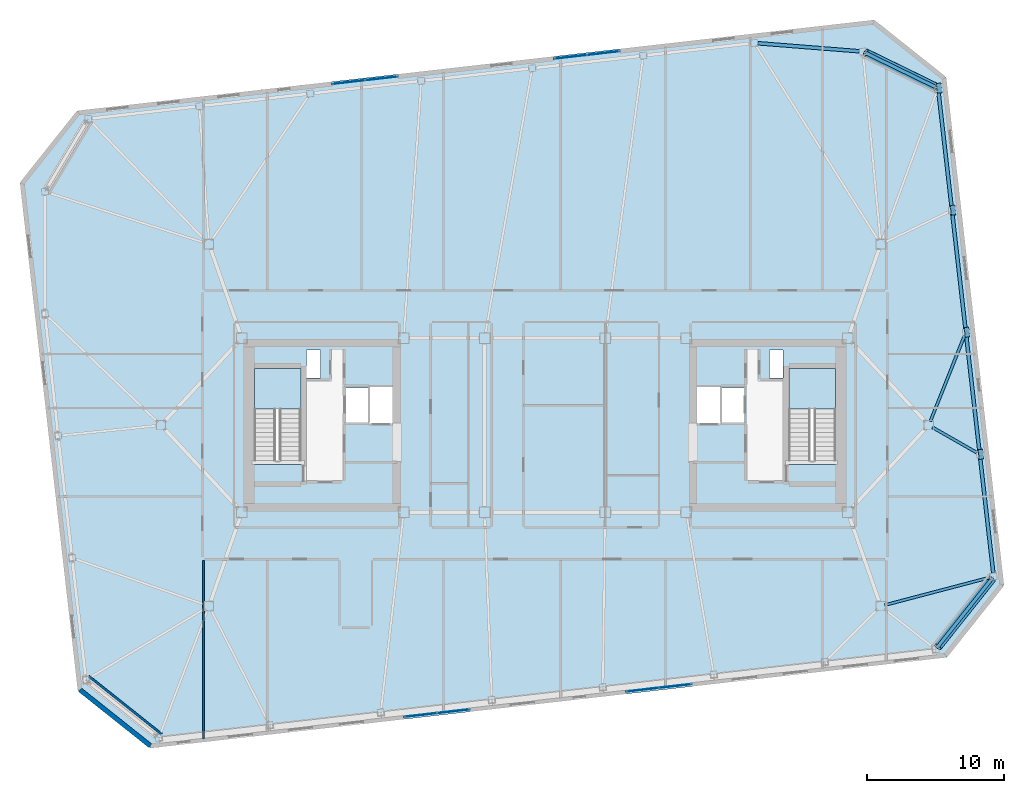
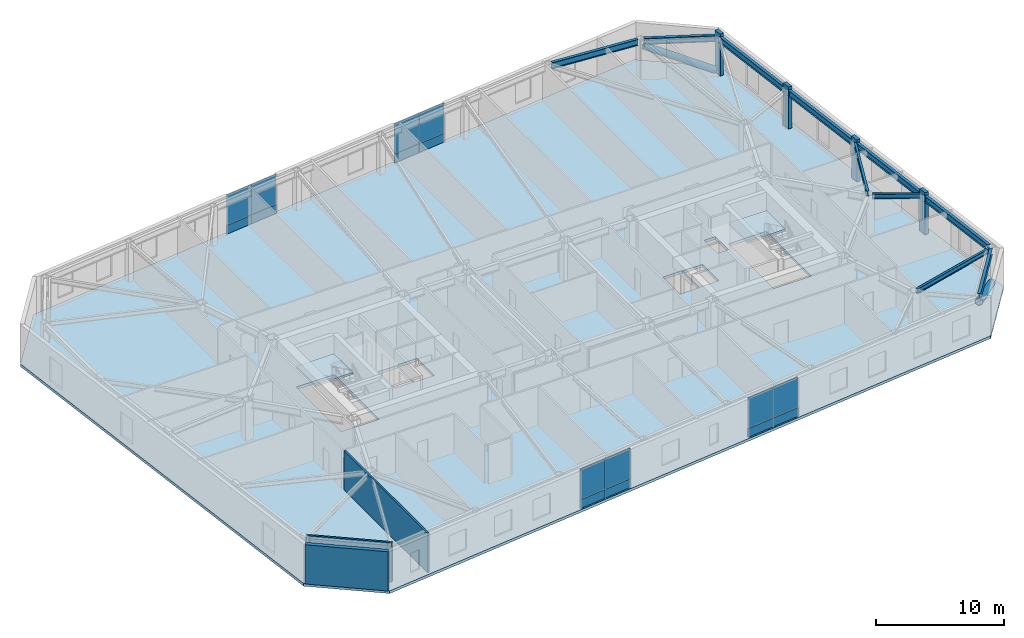
# One storey, part 11 of 19: 16 plates, 10 beams, 6 members, 3 slabs, 3 walls, 6 elements without a shape of their own.
"""IFC4 building model written with IfcOpenShell, lengths in metres."""

from ifc_helpers import new_model, si_unit, direction, frame, frame_2d, origin, origin_2d, place, context, subcontext, project, spatial, polyline, rectangle, hollow_circle, i_section, outline, extrude, material, layer, layer_set, material_profile, profile_set, type_object, element, aggregate, save


model = new_model("IFC4")

# Units and contexts
model_context = context("Model", 3, precision=1e-05, world=origin(), true_north=direction((0.0, 1.0)))
body_context = subcontext(model_context, "Body", "Model", "MODEL_VIEW")
ifc_project = project(units=[si_unit("LENGTHUNIT", "METRE"), si_unit("AREAUNIT", "SQUARE_METRE"), si_unit("VOLUMEUNIT", "CUBIC_METRE"), si_unit("PLANEANGLEUNIT", "RADIAN"), si_unit("MASSUNIT", "GRAM", prefix="KILO")], contexts=[model_context])

# Site, building, storey
site_placement = place(None, origin())
site = spatial("IfcSite", under=ifc_project, at=site_placement, CompositionType="ELEMENT")
building_placement = place(site_placement, origin())
building = spatial("IfcBuilding", under=site, at=building_placement, Name="Tavrogorsk Clinical Tower", CompositionType="ELEMENT")
storey_placement = place(building_placement, frame((0.0, 0.0, 255.0)))
storey = spatial("IfcBuildingStorey", under=building, at=storey_placement, Name="L59", CompositionType="ELEMENT", Elevation=255.0)

# Members
ifc_material_1 = material(Name="Structural steel S440", Category="steel")
ifc_material_profile_1 = material_profile(ifc_material_1, hollow_circle(Radius=0.304931640625, WallThickness=0.02490234375, at=origin_2d()), Name="CHS-610x25")
ifc_profile_set_1 = profile_set([ifc_material_profile_1], Name="Structural steel S440")
member_type_1 = type_object("IfcMemberType", Name="ExoBrace_CHS610", PredefinedType="BRACE", material=ifc_profile_set_1)
member_1_placement = place(storey_placement, frame((32.5859375, -11.2197265625, 0.398193359375), z_axis=(-0.575789482159, -0.723851679348, 0.380138420237), x_axis=(0.782601910855, -0.622522488852, 0.0)))
element("IfcMember", 1, at=member_1_placement, inside=storey, type_object=member_type_1, Name="L59 Corner Exoskeleton Brace S8-E1", PredefinedType="BRACE", context=body_context, shape_type="SweptSolid", body=[
    extrude(hollow_circle(Radius=0.304931640625, WallThickness=0.02490234375, at=origin_2d()), origin(), (0.0, 0.0, 1.0), 6.8232421875),
])
member_2_placement = place(storey_placement, frame((28.46630859375, 24.679443359375, 0.4072265625), z_axis=(-0.817526882464, 0.398699450942, 0.41555811178), x_axis=(-0.438340015424, -0.898809229413, 0.0)))
element("IfcMember", 2, at=member_2_placement, inside=storey, type_object=member_type_1, Name="L59 Corner Exoskeleton Brace E5-N1", PredefinedType="BRACE", context=body_context, shape_type="SweptSolid", body=[
    extrude(hollow_circle(Radius=0.304931640625, WallThickness=0.02490234375, at=origin_2d()), origin(), (0.0, 0.0, 1.0), 6.1982421875),
])

# Beams
ifc_material_2 = material(Name="Structural steel S355", Category="steel")
ifc_material_profile_2 = material_profile(ifc_material_2, i_section(OverallWidth=0.199951171875, OverallDepth=0.449951171875, WebThickness=0.011474609375, FlangeThickness=0.01806640625, at=origin_2d()), Name="B-450x200x11.5x18")
ifc_profile_set_2 = profile_set([ifc_material_profile_2], Name="Structural steel S355")
beam_type_1 = type_object("IfcBeamType", Name="FloorBeam_B450", PredefinedType="BEAM", material=ifc_profile_set_2)
beam_1_placement = place(storey_placement, frame((24.7998046875, -13.12109375, 3.514892578125), z_axis=(0.967072149487, 0.254502372652, 0.0), x_axis=(-0.254502372652, 0.967072149487, 0.0)))
element("IfcBeam", 3, at=beam_1_placement, inside=storey, type_object=beam_type_1, Name="L59 Radial Floor Beam E1", PredefinedType="BEAM", context=body_context, shape_type="SweptSolid", body=[
    extrude(i_section(OverallWidth=0.199951171875, OverallDepth=0.449951171875, WebThickness=0.011474609375, FlangeThickness=0.01806640625, at=origin_2d()), origin(), (0.0, 0.0, 1.0), 7.94677734375),
])
beam_2_placement = place(storey_placement, frame((28.26904296875, -0.154052734375, 3.514892578125), z_axis=(0.867782232017, -0.49694466271, 0.0), x_axis=(0.49694466271, 0.867782232017, 0.0)))
element("IfcBeam", 4, at=beam_2_placement, inside=storey, type_object=beam_type_1, Name="L59 Radial Floor Beam E2", PredefinedType="BEAM", context=body_context, shape_type="SweptSolid", body=[
    extrude(i_section(OverallWidth=0.199951171875, OverallDepth=0.449951171875, WebThickness=0.011474609375, FlangeThickness=0.01806640625, at=origin_2d()), origin(), (0.0, 0.0, 1.0), 3.718994140625),
])
beam_3_placement = place(storey_placement, frame((28.114990234375, 0.287841796875, 3.514892578125), z_axis=(0.371052625529, 0.928611839838, 0.0), x_axis=(-0.928611839838, 0.371052625529, 0.0)))
element("IfcBeam", 5, at=beam_3_placement, inside=storey, type_object=beam_type_1, Name="L59 Radial Floor Beam E3", PredefinedType="BEAM", context=body_context, shape_type="SweptSolid", body=[
    extrude(i_section(OverallWidth=0.199951171875, OverallDepth=0.449951171875, WebThickness=0.011474609375, FlangeThickness=0.01806640625, at=origin_2d()), origin(), (0.0, 0.0, 1.0), 6.724365234375),
])

# Members
ifc_material_3 = material(Name="Precast concrete B45 with limestone cladding", Category="masonry")
ifc_material_profile_3 = material_profile(ifc_material_3, rectangle(XDim=0.320068359375, YDim=0.719970703125, at=origin_2d()), Name="LIMESTONE-FIN-320x720")
ifc_profile_set_3 = profile_set([ifc_material_profile_3], Name="Precast concrete B45 with limestone cladding")
member_type_2 = type_object("IfcMemberType", Name="LimestonePleatFin_320x720", PredefinedType="USERDEFINED", material=ifc_profile_set_3)
for number, where, z_axis, x_axis, name in (
    (6, (31.799560546875, -2.121337890625, 0.0), (0.0, 0.0, 1.0), (0.993571855677, 0.113203213768, 0.0), "L59 E Pleated Stone Fin 1"),
    (7, (30.785400390625, 6.781005859375, 0.0), (0.0, 0.0, 1.0), (0.993571855677, 0.113203213768, 0.0), "L59 E Pleated Stone Fin 2"),
    (8, (29.77099609375, 15.683349609375, 0.0), (0.0, 0.0, 1.0), (0.993571855677, 0.113203213768, 0.0), "L59 E Pleated Stone Fin 3"),
    (9, (28.756591796875, 24.585693359375, 0.0), (0.0, 0.0, 1.0), (0.993571855677, 0.113203213768, 0.0), "L59 E Pleated Stone Fin 4"),
):
    element("IfcMember", number, at=place(storey_placement, frame(where, z_axis=z_axis, x_axis=x_axis)), inside=storey, type_object=member_type_2, Name=name, ObjectType="FIN", PredefinedType="USERDEFINED", context=body_context, shape_type="SweptSolid", body=[
        extrude(rectangle(XDim=0.320068359375, YDim=0.719970703125, at=origin_2d()), origin(), (0.0, 0.0, 1.0), 4.0),
    ])

# Beams
ifc_material_4 = material(Name="Structural steel S390", Category="steel")
ifc_material_profile_4 = material_profile(ifc_material_4, i_section(OverallWidth=0.260009765625, OverallDepth=0.60009765625, WebThickness=0.014892578125, FlangeThickness=0.02392578125, at=origin_2d()), Name="B-600x260x15x24")
ifc_profile_set_4 = profile_set([ifc_material_profile_4], Name="Structural steel S390")
beam_type_2 = type_object("IfcBeamType", Name="SpandrelBeam_B600", PredefinedType="SPANDREL", material=ifc_profile_set_4)
beam_4_placement = place(storey_placement, frame((28.669189453125, -16.1435546875, 3.43994140625), z_axis=(0.622513813188, 0.782608811853, 0.0), x_axis=(-0.782608811853, 0.622513813188, 0.0)))
element("IfcBeam", 10, at=beam_4_placement, inside=storey, type_object=beam_type_2, Name="L59 Perimeter Spandrel S8-E1", PredefinedType="SPANDREL", context=body_context, shape_type="SweptSolid", body=[
    extrude(i_section(OverallWidth=0.260009765625, OverallDepth=0.60009765625, WebThickness=0.014892578125, FlangeThickness=0.02392578125, at=origin_2d()), origin(), (0.0, 0.0, 1.0), 6.272216796875),
])
for number, where, z_axis, x_axis, name in (
    (11, (32.705078125, -10.776611328125, 3.43994140625), (-0.113191877531, 0.993573147212, 0.0), (-0.993573147212, -0.113191877531, 0.0), "L59 Perimeter Spandrel E1-E2"),
    (12, (31.69091796875, -1.874267578125, 3.43994140625), (-0.113191877531, 0.993573147212, 0.0), (-0.993573147212, -0.113191877531, 0.0), "L59 Perimeter Spandrel E2-E3"),
):
    element("IfcBeam", number, at=place(storey_placement, frame(where, z_axis=z_axis, x_axis=x_axis)), inside=storey, type_object=beam_type_2, Name=name, PredefinedType="SPANDREL", context=body_context, shape_type="SweptSolid", body=[
        extrude(i_section(OverallWidth=0.260009765625, OverallDepth=0.60009765625, WebThickness=0.014892578125, FlangeThickness=0.02392578125, at=origin_2d()), origin(), (0.0, 0.0, 1.0), 8.444091796875),
    ])
for number, where, z_axis, x_axis, name in (
    (13, (30.676513671875, 7.0283203125, 3.43994140625), (-0.113195129234, 0.99357277676, 0.0), (-0.99357277676, -0.113195129234, 0.0), "L59 Perimeter Spandrel E3-E4"),
    (14, (29.662353515625, 15.9306640625, 3.43994140625), (-0.113223671813, 0.993569524563, 0.0), (-0.993569524563, -0.113223671813, 0.0), "L59 Perimeter Spandrel E4-E5"),
):
    element("IfcBeam", number, at=place(storey_placement, frame(where, z_axis=z_axis, x_axis=x_axis)), inside=storey, type_object=beam_type_2, Name=name, PredefinedType="SPANDREL", context=body_context, shape_type="SweptSolid", body=[
        extrude(i_section(OverallWidth=0.260009765625, OverallDepth=0.60009765625, WebThickness=0.014892578125, FlangeThickness=0.02392578125, at=origin_2d()), origin(), (0.0, 0.0, 1.0), 8.44384765625),
    ])
beam_5_placement = place(storey_placement, frame((28.4453125, 24.689697265625, 3.43994140625), z_axis=(-0.898811248667, 0.438335874951, 0.0), x_axis=(-0.438335874951, -0.898811248667, 0.0)))
element("IfcBeam", 15, at=beam_5_placement, inside=storey, type_object=beam_type_2, Name="L59 Perimeter Spandrel E5-N1", PredefinedType="SPANDREL", context=body_context, shape_type="SweptSolid", body=[
    extrude(i_section(OverallWidth=0.260009765625, OverallDepth=0.60009765625, WebThickness=0.014892578125, FlangeThickness=0.02392578125, at=origin_2d()), origin(), (0.0, 0.0, 1.0), 5.5908203125),
])
beam_6_placement = place(storey_placement, frame((22.930908203125, 27.273681640625, 3.43994140625), z_axis=(-0.996881705424, 0.078910489738, 0.0), x_axis=(-0.078910489738, -0.996881705424, 0.0)))
element("IfcBeam", 16, at=beam_6_placement, inside=storey, type_object=beam_type_2, Name="L59 Perimeter Spandrel N1-N2", PredefinedType="SPANDREL", context=body_context, shape_type="SweptSolid", body=[
    extrude(i_section(OverallWidth=0.260009765625, OverallDepth=0.60009765625, WebThickness=0.014892578125, FlangeThickness=0.02392578125, at=origin_2d()), origin(), (0.0, 0.0, 1.0), 7.428466796875),
])

# Curtain wall, plates
ifc_material_5 = material(Name="Anodised aluminium and triple IGU glazing", Category="aluminium")
ifc_layer_1 = layer(ifc_material_5, 0.179931640625)
ifc_layer_set_1 = layer_set([ifc_layer_1], Name="Anodised aluminium and triple IGU glazing")
curtain_wall_type_1 = type_object("IfcCurtainWallType", Name="CW3_SouthSlot", PredefinedType="NOTDEFINED", material=ifc_layer_set_1)
curtain_wall_1_placement = place(storey_placement, origin())
curtain_wall_1 = element("IfcCurtainWall", 17, at=curtain_wall_1_placement, inside=storey, type_object=curtain_wall_type_1, Name="L59 Curtain Wall CW-L59-S-SLOT-1", PredefinedType="NOTDEFINED")
ifc_material_6 = material(Name="Honed Podolsk limestone spandrel panel", Category="masonry")
ifc_layer_2 = layer(ifc_material_6, 0.080078125)
ifc_layer_set_2 = layer_set([ifc_layer_2], Name="Honed Podolsk limestone spandrel panel")
plate_type_1 = type_object("IfcPlateType", Name="CwSpandrelStonePanel_80", PredefinedType="CURTAIN_PANEL", material=ifc_layer_set_2)
plate_1_placement = place(storey_placement, frame((-9.066650390625, -21.139892578125, 0.001953125), z_axis=(0.0, 0.0, 1.0), x_axis=(0.993571855603, 0.11320321441, 0.0)))
plate_1 = element("IfcPlate", 18, at=plate_1_placement, type_object=plate_type_1, Name="CW-L59-S-SLOT-1 Stone Spandrel Panel 1", PredefinedType="CURTAIN_PANEL", context=body_context, shape_type="SweptSolid", body=[
    extrude(rectangle(XDim=2.39208984375, YDim=0.080078125, at=origin_2d()), origin(), (0.0, 0.0, 1.0), 0.8359375),
])
plate_2_placement = place(storey_placement, frame((-6.666259765625, -20.866455078125, 0.001953125), z_axis=(0.0, 0.0, 1.0), x_axis=(0.993571855603, 0.11320321441, 0.0)))
plate_2 = element("IfcPlate", 19, at=plate_2_placement, type_object=plate_type_1, Name="CW-L59-S-SLOT-1 Stone Spandrel Panel 2", PredefinedType="CURTAIN_PANEL", context=body_context, shape_type="SweptSolid", body=[
    extrude(rectangle(XDim=2.39208984375, YDim=0.080078125, at=origin_2d()), origin(), (0.0, 0.0, 1.0), 0.8359375),
])

curtain_wall_2_placement = place(storey_placement, origin())
curtain_wall_2 = element("IfcCurtainWall", 20, at=curtain_wall_2_placement, inside=storey, type_object=curtain_wall_type_1, Name="L59 Curtain Wall CW-L59-S-SLOT-2", PredefinedType="NOTDEFINED")
plate_3_placement = place(storey_placement, frame((7.125732421875, -19.294921875, 0.001953125), z_axis=(0.0, 0.0, 1.0), x_axis=(0.993571855603, 0.11320321441, 0.0)))
plate_3 = element("IfcPlate", 21, at=plate_3_placement, type_object=plate_type_1, Name="CW-L59-S-SLOT-2 Stone Spandrel Panel 1", PredefinedType="CURTAIN_PANEL", context=body_context, shape_type="SweptSolid", body=[
    extrude(rectangle(XDim=2.39208984375, YDim=0.080078125, at=origin_2d()), origin(), (0.0, 0.0, 1.0), 0.8359375),
])
plate_4_placement = place(storey_placement, frame((9.526123046875, -19.021484375, 0.001953125), z_axis=(0.0, 0.0, 1.0), x_axis=(0.993571855603, 0.11320321441, 0.0)))
plate_4 = element("IfcPlate", 22, at=plate_4_placement, type_object=plate_type_1, Name="CW-L59-S-SLOT-2 Stone Spandrel Panel 2", PredefinedType="CURTAIN_PANEL", context=body_context, shape_type="SweptSolid", body=[
    extrude(rectangle(XDim=2.39208984375, YDim=0.080078125, at=origin_2d()), origin(), (0.0, 0.0, 1.0), 0.8359375),
])

ifc_material_7 = material(Name="Anodised aluminium and triple IGU glazing", Category="aluminium")
ifc_layer_3 = layer(ifc_material_7, 0.179931640625)
ifc_layer_set_3 = layer_set([ifc_layer_3], Name="Anodised aluminium and triple IGU glazing")
curtain_wall_type_2 = type_object("IfcCurtainWallType", Name="CW2_NorthSlot", PredefinedType="NOTDEFINED", material=ifc_layer_set_3)
curtain_wall_3_placement = place(storey_placement, origin())
curtain_wall_3 = element("IfcCurtainWall", 23, at=curtain_wall_3_placement, inside=storey, type_object=curtain_wall_type_2, Name="L59 Curtain Wall CW-L59-N-SLOT-1", PredefinedType="NOTDEFINED")
plate_5_placement = place(storey_placement, frame((-11.92578125, 25.294921875, 0.001953125), z_axis=(0.0, 0.0, 1.0), x_axis=(-0.993571855603, -0.11320321441, 0.0)))
plate_5 = element("IfcPlate", 24, at=plate_5_placement, type_object=plate_type_1, Name="CW-L59-N-SLOT-1 Stone Spandrel Panel 1", PredefinedType="CURTAIN_PANEL", context=body_context, shape_type="SweptSolid", body=[
    extrude(rectangle(XDim=2.39208984375, YDim=0.080078125, at=origin_2d()), origin(), (0.0, 0.0, 1.0), 0.8359375),
])
plate_6_placement = place(storey_placement, frame((-14.326171875, 25.021484375, 0.001953125), z_axis=(0.0, 0.0, 1.0), x_axis=(-0.993571855603, -0.11320321441, 0.0)))
plate_6 = element("IfcPlate", 25, at=plate_6_placement, type_object=plate_type_1, Name="CW-L59-N-SLOT-1 Stone Spandrel Panel 2", PredefinedType="CURTAIN_PANEL", context=body_context, shape_type="SweptSolid", body=[
    extrude(rectangle(XDim=2.39208984375, YDim=0.080078125, at=origin_2d()), origin(), (0.0, 0.0, 1.0), 0.8359375),
])

curtain_wall_4_placement = place(storey_placement, origin())
curtain_wall_4 = element("IfcCurtainWall", 26, at=curtain_wall_4_placement, inside=storey, type_object=curtain_wall_type_2, Name="L59 Curtain Wall CW-L59-N-SLOT-2", PredefinedType="NOTDEFINED")
plate_7_placement = place(storey_placement, frame((4.266845703125, 27.139892578125, 0.001953125), z_axis=(0.0, 0.0, 1.0), x_axis=(-0.993571855603, -0.11320321441, 0.0)))
plate_7 = element("IfcPlate", 27, at=plate_7_placement, type_object=plate_type_1, Name="CW-L59-N-SLOT-2 Stone Spandrel Panel 1", PredefinedType="CURTAIN_PANEL", context=body_context, shape_type="SweptSolid", body=[
    extrude(rectangle(XDim=2.39208984375, YDim=0.080078125, at=origin_2d()), origin(), (0.0, 0.0, 1.0), 0.8359375),
])
plate_8_placement = place(storey_placement, frame((1.8662109375, 26.866455078125, 0.001953125), z_axis=(0.0, 0.0, 1.0), x_axis=(-0.993571855603, -0.11320321441, 0.0)))
plate_8 = element("IfcPlate", 28, at=plate_8_placement, type_object=plate_type_1, Name="CW-L59-N-SLOT-2 Stone Spandrel Panel 2", PredefinedType="CURTAIN_PANEL", context=body_context, shape_type="SweptSolid", body=[
    extrude(rectangle(XDim=2.39208984375, YDim=0.080078125, at=origin_2d()), origin(), (0.0, 0.0, 1.0), 0.8359375),
])

# Plate
ifc_material_8 = material(Name="Triple low-E argon insulated glass", Category="glass")
ifc_layer_4 = layer(ifc_material_8, 0.048095703125)
ifc_layer_set_4 = layer_set([ifc_layer_4], Name="Triple low-E argon insulated glass")
plate_type_2 = type_object("IfcPlateType", Name="CwVisionGlassPanel_48", PredefinedType="CURTAIN_PANEL", material=ifc_layer_set_4)
plate_9_placement = place(storey_placement, frame((-9.066650390625, -21.139892578125, 0.862060546875), z_axis=(0.0, 0.0, 1.0), x_axis=(0.993571855603, 0.11320321441, 0.0)))
plate_9 = element("IfcPlate", 29, at=plate_9_placement, type_object=plate_type_2, Name="CW-L59-S-SLOT-1 Glazing Panel 1", PredefinedType="CURTAIN_PANEL", context=body_context, shape_type="SweptSolid", body=[
    extrude(rectangle(XDim=2.39208984375, YDim=0.048095703125, at=origin_2d()), origin(), (0.0, 0.0, 1.0), 2.8759765625),
])

plate_10_placement = place(storey_placement, frame((-6.666259765625, -20.866455078125, 0.862060546875), z_axis=(0.0, 0.0, 1.0), x_axis=(0.993571855603, 0.11320321441, 0.0)))
plate_10 = element("IfcPlate", 30, at=plate_10_placement, type_object=plate_type_2, Name="CW-L59-S-SLOT-1 Glazing Panel 2", PredefinedType="CURTAIN_PANEL", context=body_context, shape_type="SweptSolid", body=[
    extrude(rectangle(XDim=2.39208984375, YDim=0.048095703125, at=origin_2d()), origin(), (0.0, 0.0, 1.0), 2.8759765625),
])

aggregate(curtain_wall_1, [plate_1, plate_9, plate_2, plate_10])

plate_11_placement = place(storey_placement, frame((7.125732421875, -19.294921875, 0.862060546875), z_axis=(0.0, 0.0, 1.0), x_axis=(0.993571855603, 0.11320321441, 0.0)))
plate_11 = element("IfcPlate", 31, at=plate_11_placement, type_object=plate_type_2, Name="CW-L59-S-SLOT-2 Glazing Panel 1", PredefinedType="CURTAIN_PANEL", context=body_context, shape_type="SweptSolid", body=[
    extrude(rectangle(XDim=2.39208984375, YDim=0.048095703125, at=origin_2d()), origin(), (0.0, 0.0, 1.0), 2.8759765625),
])

plate_12_placement = place(storey_placement, frame((9.526123046875, -19.021484375, 0.862060546875), z_axis=(0.0, 0.0, 1.0), x_axis=(0.993571855603, 0.11320321441, 0.0)))
plate_12 = element("IfcPlate", 32, at=plate_12_placement, type_object=plate_type_2, Name="CW-L59-S-SLOT-2 Glazing Panel 2", PredefinedType="CURTAIN_PANEL", context=body_context, shape_type="SweptSolid", body=[
    extrude(rectangle(XDim=2.39208984375, YDim=0.048095703125, at=origin_2d()), origin(), (0.0, 0.0, 1.0), 2.8759765625),
])

aggregate(curtain_wall_2, [plate_3, plate_11, plate_4, plate_12])

plate_13_placement = place(storey_placement, frame((-11.92578125, 25.294921875, 0.862060546875), z_axis=(0.0, 0.0, 1.0), x_axis=(-0.993571855603, -0.11320321441, 0.0)))
plate_13 = element("IfcPlate", 33, at=plate_13_placement, type_object=plate_type_2, Name="CW-L59-N-SLOT-1 Glazing Panel 1", PredefinedType="CURTAIN_PANEL", context=body_context, shape_type="SweptSolid", body=[
    extrude(rectangle(XDim=2.39208984375, YDim=0.048095703125, at=origin_2d()), origin(), (0.0, 0.0, 1.0), 2.8759765625),
])

plate_14_placement = place(storey_placement, frame((-14.326171875, 25.021484375, 0.862060546875), z_axis=(0.0, 0.0, 1.0), x_axis=(-0.993571855603, -0.11320321441, 0.0)))
plate_14 = element("IfcPlate", 34, at=plate_14_placement, type_object=plate_type_2, Name="CW-L59-N-SLOT-1 Glazing Panel 2", PredefinedType="CURTAIN_PANEL", context=body_context, shape_type="SweptSolid", body=[
    extrude(rectangle(XDim=2.39208984375, YDim=0.048095703125, at=origin_2d()), origin(), (0.0, 0.0, 1.0), 2.8759765625),
])

aggregate(curtain_wall_3, [plate_5, plate_13, plate_6, plate_14])

plate_15_placement = place(storey_placement, frame((4.266845703125, 27.139892578125, 0.862060546875), z_axis=(0.0, 0.0, 1.0), x_axis=(-0.993571855603, -0.11320321441, 0.0)))
plate_15 = element("IfcPlate", 35, at=plate_15_placement, type_object=plate_type_2, Name="CW-L59-N-SLOT-2 Glazing Panel 1", PredefinedType="CURTAIN_PANEL", context=body_context, shape_type="SweptSolid", body=[
    extrude(rectangle(XDim=2.39208984375, YDim=0.048095703125, at=origin_2d()), origin(), (0.0, 0.0, 1.0), 2.8759765625),
])

plate_16_placement = place(storey_placement, frame((1.8662109375, 26.866455078125, 0.862060546875), z_axis=(0.0, 0.0, 1.0), x_axis=(-0.993571855603, -0.11320321441, 0.0)))
plate_16 = element("IfcPlate", 36, at=plate_16_placement, type_object=plate_type_2, Name="CW-L59-N-SLOT-2 Glazing Panel 2", PredefinedType="CURTAIN_PANEL", context=body_context, shape_type="SweptSolid", body=[
    extrude(rectangle(XDim=2.39208984375, YDim=0.048095703125, at=origin_2d()), origin(), (0.0, 0.0, 1.0), 2.8759765625),
])

aggregate(curtain_wall_4, [plate_7, plate_15, plate_8, plate_16])

# Stair, slab
ifc_material_9 = material(Name="Concrete B60", Category="concrete")
stair_type = type_object("IfcStairType", Name="CoreStairAssembly", PredefinedType="HALF_TURN_STAIR", material=ifc_material_9)
stair_1_placement = place(storey_placement, origin())
stair_1 = element("IfcStair", 37, at=stair_1_placement, inside=storey, type_object=stair_type, Name="L59 ST-W", PredefinedType="HALF_TURN_STAIR")
ifc_material_10 = material(Name="Concrete B60", Category="concrete")
ifc_layer_5 = layer(ifc_material_10, 0.199951171875)
ifc_layer_set_5 = layer_set([ifc_layer_5], Name="Concrete B60")
slab_type_1 = type_object("IfcSlabType", Name="StairLanding_200", PredefinedType="LANDING", material=ifc_layer_set_5)
slab_1_placement = place(storey_placement, frame((0.0, 0.0, 1.800048828125)))
slab_1 = element("IfcSlab", 38, at=slab_1_placement, type_object=slab_type_1, Name="ST-W landing 1", PredefinedType="LANDING", context=body_context, shape_type="SweptSolid", body=[
    extrude(outline(polyline([(-17.800048828125, 1.1650390625), (-17.800048828125, 4.125), (-21.199951171875, 4.125), (-21.199951171875, 1.1650390625), (-17.800048828125, 1.1650390625)])), origin(), (0.0, 0.0, 1.0), 0.199951171875),
])
aggregate(stair_1, [slab_1])

stair_2_placement = place(storey_placement, origin())
stair_2 = element("IfcStair", 39, at=stair_2_placement, inside=storey, type_object=stair_type, Name="L59 ST-E", PredefinedType="HALF_TURN_STAIR")
slab_2_placement = place(storey_placement, frame((0.0, 0.0, 1.800048828125)))
slab_2 = element("IfcSlab", 40, at=slab_2_placement, type_object=slab_type_1, Name="ST-E landing 1", PredefinedType="LANDING", context=body_context, shape_type="SweptSolid", body=[
    extrude(outline(polyline([(21.199951171875, 1.1650390625), (21.199951171875, 4.125), (17.800048828125, 4.125), (17.800048828125, 1.1650390625), (21.199951171875, 1.1650390625)])), origin(), (0.0, 0.0, 1.0), 0.199951171875),
])
aggregate(stair_2, [slab_2])

# Slab
ifc_material_11 = material(Name="Concrete B60", Category="concrete")
ifc_layer_6 = layer(ifc_material_11, 0.260009765625)
ifc_layer_set_6 = layer_set([ifc_layer_6], Name="Concrete B60")
slab_type_2 = type_object("IfcSlabType", Name="WardSlab_260", PredefinedType="FLOOR", material=ifc_layer_set_6)
slab_3_placement = place(storey_placement, frame((0.0, 0.0, -0.260009765625)))
element("IfcSlab", 41, at=slab_3_placement, inside=storey, type_object=slab_type_2, Name="L59 Structural Slab", PredefinedType="FLOOR", context=body_context, shape_type="SweptSolid", body=[
    extrude(outline(polyline([(-28.76318359375, -23.55517578125), (29.26123046875, -16.944091796875), (33.487060546875, -11.631591796875), (29.27587890625, 25.329345703125), (23.96337890625, 29.55517578125), (-34.061279296875, 22.944091796875), (-38.287109375, 17.631591796875), (-34.075927734375, -19.329345703125), (-28.76318359375, -23.55517578125)]), holes=[polyline([(-17.800048828125, -2.8798828125), (-17.800048828125, 4.125), (-21.199951171875, 4.125), (-21.199951171875, -2.8798828125), (-17.800048828125, -2.8798828125)]), polyline([(21.199951171875, -2.8798828125), (21.199951171875, 4.125), (17.800048828125, 4.125), (17.800048828125, -2.8798828125), (21.199951171875, -2.8798828125)]), polyline([(-14.6201171875, 0.169921875), (-12.860107421875, 0.169921875), (-12.860107421875, 2.72998046875), (-14.6201171875, 2.72998046875), (-14.6201171875, 0.169921875)]), polyline([(-12.840087890625, 0.1201171875), (-11.080078125, 0.1201171875), (-11.080078125, 2.780029296875), (-12.840087890625, 2.780029296875), (-12.840087890625, 0.1201171875)]), polyline([(12.860107421875, 0.169921875), (14.6201171875, 0.169921875), (14.6201171875, 2.72998046875), (12.860107421875, 2.72998046875), (12.860107421875, 0.169921875)]), polyline([(11.080078125, 0.1201171875), (12.840087890625, 0.1201171875), (12.840087890625, 2.780029296875), (11.080078125, 2.780029296875), (11.080078125, 0.1201171875)]), polyline([(-17.3798828125, 3.449951171875), (-16.3798828125, 3.449951171875), (-16.3798828125, 5.5), (-17.3798828125, 5.5), (-17.3798828125, 3.449951171875)]), polyline([(16.3798828125, 3.449951171875), (17.3798828125, 3.449951171875), (17.3798828125, 5.5), (16.3798828125, 5.5), (16.3798828125, 3.449951171875)])]), origin(), (0.0, 0.0, 1.0), 0.260009765625),
])

# Walls
ifc_material_12 = material(Name="Lightweight concrete blockwork B15", Category="masonry")
ifc_layer_7 = layer(ifc_material_12, 0.159912109375)
ifc_layer_set_7 = layer_set([ifc_layer_7], Name="Lightweight concrete blockwork B15")
wall_type_1 = type_object("IfcWallType", Name="PartitionWall_160", PredefinedType="PARTITIONING", material=ifc_layer_set_7)
wall_1_placement = place(storey_placement, frame((-33.265380859375, -18.310546875, 0.0), z_axis=(0.0, 0.0, 1.0), x_axis=(0.782602647064, -0.622521563328, 0.0)))
element("IfcWall", 42, at=wall_1_placement, inside=storey, type_object=wall_type_1, Name="L59 Corner Exoskeleton Brace Furring Wall 4", PredefinedType="PARTITIONING", context=body_context, shape_type="SweptSolid", body=[
    extrude(rectangle(XDim=6.788330078125, YDim=0.159912109375, at=frame_2d((3.39404296875, 0.0))), origin(), (0.0, 0.0, 1.0), 3.739990234375),
])
wall_2_placement = place(storey_placement, frame((-24.89990234375, -22.873291015625, 0.0), z_axis=(0.0, 0.0, 1.0), x_axis=(0.0, 1.0, 0.0)))
element("IfcWall", 43, at=wall_2_placement, inside=storey, type_object=wall_type_1, Name="L59 SW Wing Closure Partition", PredefinedType="PARTITIONING", context=body_context, shape_type="SweptSolid", body=[
    extrude(rectangle(XDim=13.00830078125, YDim=0.159912109375, at=frame_2d((6.504150390625, 0.0))), origin(), (0.0, 0.0, 1.0), 3.739990234375),
])
ifc_material_13 = material(Name="Precast concrete B45 with limestone cladding", Category="masonry")
ifc_layer_8 = layer(ifc_material_13, 0.340087890625)
ifc_layer_set_8 = layer_set([ifc_layer_8], Name="Precast concrete B45 with limestone cladding")
wall_type_2 = type_object("IfcWallType", Name="PrecastLimestoneWall_340", PredefinedType="STANDARD", material=ifc_layer_set_8)
wall_3_placement = place(storey_placement, frame((-33.906982421875, -19.31005859375, 0.0), z_axis=(0.0, 0.0, 1.0), x_axis=(0.782611787794, -0.622510071892, 0.0)))
element("IfcWall", 44, at=wall_3_placement, inside=storey, type_object=wall_type_2, Name="L59 Chamfered Corner Wall 4", PredefinedType="STANDARD", context=body_context, shape_type="SweptSolid", body=[
    extrude(rectangle(XDim=6.5478515625, YDim=0.340087890625, at=frame_2d((3.27392578125, 0.0))), origin(), (0.0, 0.0, 1.0), 3.739990234375),
])

save(model, "model.ifc")
